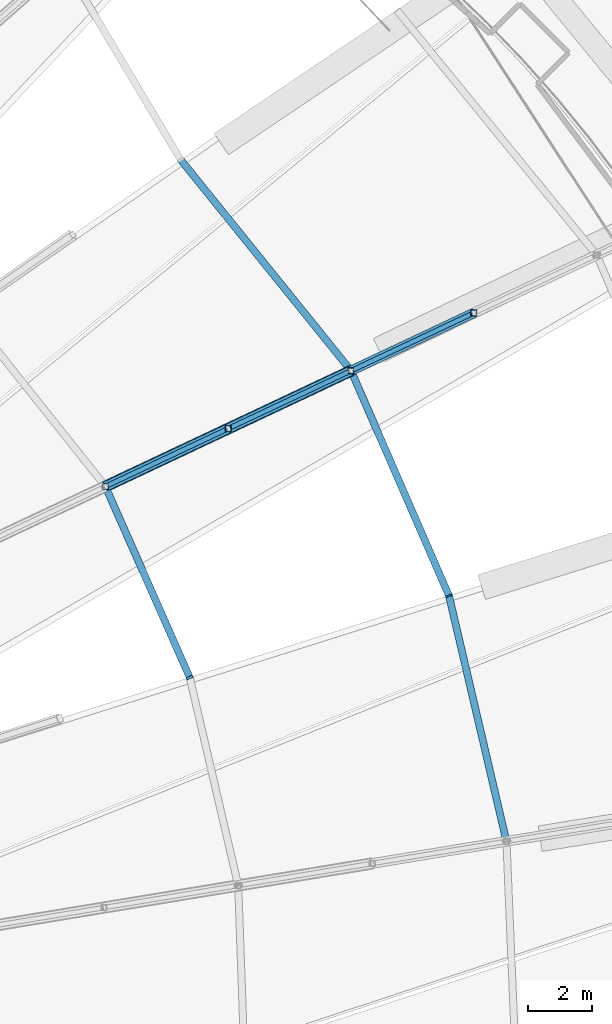
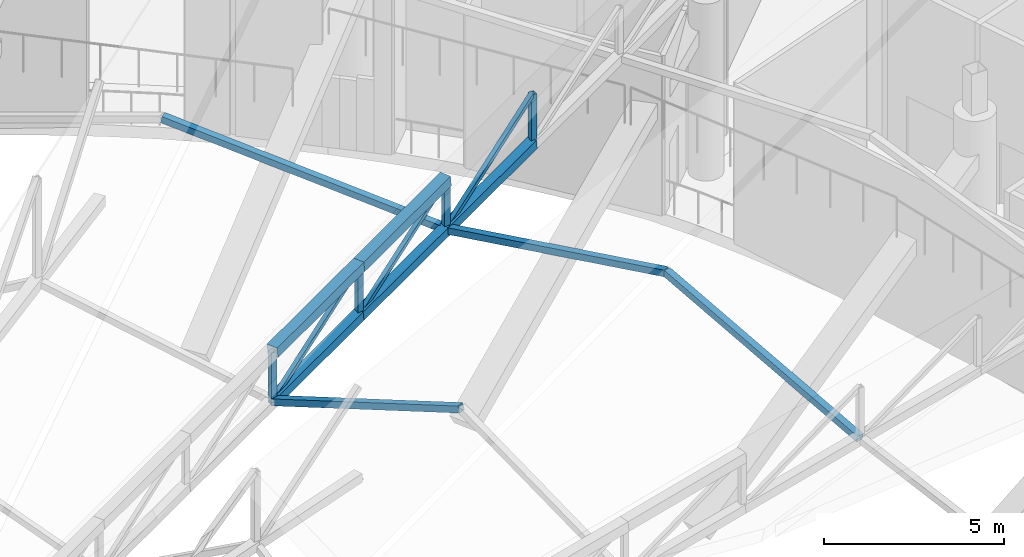
# One storey, part 192 of 344: 16 members.
"""IFC4 building model written with IfcOpenShell, lengths in metres."""

from ifc_helpers import new_model, si_unit, direction, frame, origin, origin_2d, place, context, subcontext, project, spatial, hollow_rectangle, extrude, material, material_profile, profile_set, type_object, element, save


model = new_model("IFC4")

# Units and contexts
model_context = context("Model", 3, precision=1e-05, world=origin(), true_north=direction((0.0, 1.0)))
body_context = subcontext(model_context, "Body", "Model", "MODEL_VIEW")
ifc_project = project(units=[si_unit("LENGTHUNIT", "METRE"), si_unit("AREAUNIT", "SQUARE_METRE"), si_unit("VOLUMEUNIT", "CUBIC_METRE"), si_unit("PLANEANGLEUNIT", "RADIAN"), si_unit("MASSUNIT", "GRAM", prefix="KILO")], contexts=[model_context])

# Site, building, storey
site_placement = place(None, origin())
site = spatial("IfcSite", under=ifc_project, at=site_placement, CompositionType="ELEMENT")
building_placement = place(site_placement, origin())
building = spatial("IfcBuilding", under=site, at=building_placement, Name="Meseta Stadium", CompositionType="ELEMENT")
storey_placement = place(building_placement, frame((0.0, 0.0, 24.0)))
storey = spatial("IfcBuildingStorey", under=building, at=storey_placement, Name="L04", CompositionType="ELEMENT", Elevation=24.0)

# Members
ifc_material_1 = material(Name="Steel S355", Category="steel")
ifc_material_profile_1 = material_profile(ifc_material_1, hollow_rectangle(XDim=0.139892578125, YDim=0.139892578125, WallThickness=0.0048828125, at=origin_2d()), Name="SHS 140x140x5")
ifc_profile_set_1 = profile_set([ifc_material_profile_1], Name="Steel S355")
member_type_1 = type_object("IfcMemberType", Name="SHS 140x140x5 diagonal", PredefinedType="BRACE", material=ifc_profile_set_1)
member_1_placement = place(storey_placement, frame((59.369140625, 62.769775390625, 4.35107421875), z_axis=(0.804671329976, 0.379086858084, 0.456943327715), x_axis=(-0.426181724525, 0.904637572556, 0.0)))
element("IfcMember", 1, at=member_1_placement, inside=storey, type_object=member_type_1, Name="ROOF TRUSS RT-11 diagonal", PredefinedType="BRACE", context=body_context, shape_type="SweptSolid", body=[
    extrude(hollow_rectangle(XDim=0.139892578125, YDim=0.139892578125, WallThickness=0.0048828125, at=origin_2d()), origin(), (0.0, 0.0, 1.0), 4.7412109375),
])
member_2_placement = place(storey_placement, frame((63.184326171875, 64.567138671875, 4.837890625), z_axis=(0.804705185814, 0.379027058663, 0.456933313214), x_axis=(-0.42611203162, 0.90467040214, 0.0)))
element("IfcMember", 2, at=member_2_placement, inside=storey, type_object=member_type_1, Name="ROOF TRUSS RT-11 diagonal", PredefinedType="BRACE", context=body_context, shape_type="SweptSolid", body=[
    extrude(hollow_rectangle(XDim=0.139892578125, YDim=0.139892578125, WallThickness=0.0048828125, at=origin_2d()), origin(), (0.0, 0.0, 1.0), 4.741455078125),
])
member_3_placement = place(storey_placement, frame((66.999755859375, 66.3642578125, 5.32470703125), z_axis=(0.804671329976, 0.379086858084, 0.456943327715), x_axis=(-0.426181724525, 0.904637572556, 0.0)))
element("IfcMember", 3, at=member_3_placement, inside=storey, type_object=member_type_1, Name="ROOF TRUSS RT-11 diagonal", PredefinedType="BRACE", context=body_context, shape_type="SweptSolid", body=[
    extrude(hollow_rectangle(XDim=0.139892578125, YDim=0.139892578125, WallThickness=0.0048828125, at=origin_2d()), origin(), (0.0, 0.0, 1.0), 4.7412109375),
])
ifc_material_2 = material(Name="Steel S355", Category="steel")
ifc_material_profile_2 = material_profile(ifc_material_2, hollow_rectangle(XDim=0.179931640625, YDim=0.179931640625, WallThickness=0.00634765625, at=origin_2d()), Name="SHS 180x180x6.3")
ifc_profile_set_2 = profile_set([ifc_material_profile_2], Name="Steel S355")
member_type_2 = type_object("IfcMemberType", Name="SHS 180x180x6.3 post", PredefinedType="POST", material=ifc_profile_set_2)
member_4_placement = place(storey_placement, frame((59.369140625, 62.769775390625, 4.35107421875), z_axis=(0.0, 0.0, 1.0), x_axis=(1.0, 0.0, 0.0)))
element("IfcMember", 4, at=member_4_placement, inside=storey, type_object=member_type_2, Name="ROOF TRUSS RT-11 post", PredefinedType="POST", context=body_context, shape_type="SweptSolid", body=[
    extrude(hollow_rectangle(XDim=0.179931640625, YDim=0.179931640625, WallThickness=0.00634765625, at=origin_2d()), origin(), (0.0, 0.0, 1.0), 1.679443359375),
])
for number, where, z_axis, x_axis, name in (
    (5, (63.184326171875, 64.567138671875, 4.837890625), (0.0, 0.0, 1.0), (1.0, 0.0, 0.0), "ROOF TRUSS RT-11 post"),
    (6, (66.999755859375, 66.3642578125, 5.32470703125), (0.0, 0.0, 1.0), (1.0, 0.0, 0.0), "ROOF TRUSS RT-11 post"),
    (7, (70.81494140625, 68.16162109375, 5.8115234375), (0.0, 0.0, 1.0), (1.0, 0.0, 0.0), "ROOF TRUSS RT-11 post"),
):
    element("IfcMember", number, at=place(storey_placement, frame(where, z_axis=z_axis, x_axis=x_axis)), inside=storey, type_object=member_type_2, Name=name, PredefinedType="POST", context=body_context, shape_type="SweptSolid", body=[
        extrude(hollow_rectangle(XDim=0.179931640625, YDim=0.179931640625, WallThickness=0.00634765625, at=origin_2d()), origin(), (0.0, 0.0, 1.0), 1.6796875),
    ])
ifc_material_3 = material(Name="Steel S355", Category="steel")
ifc_material_profile_3 = material_profile(ifc_material_3, hollow_rectangle(XDim=0.219970703125, YDim=0.219970703125, WallThickness=0.008056640625, at=origin_2d()), Name="SHS 220x220x8")
ifc_profile_set_3 = profile_set([ifc_material_profile_3], Name="Steel S355")
member_type_3 = type_object("IfcMemberType", Name="SHS 220x220x8 strut", PredefinedType="STRUT", material=ifc_profile_set_3)
member_5_placement = place(storey_placement, frame((71.82666015625, 51.74560546875, 5.41162109375), z_axis=(-0.22312298327, 0.953596025981, 0.202165164086), x_axis=(-0.973701559361, -0.227827288306, 0.0)))
element("IfcMember", 8, at=member_5_placement, inside=storey, type_object=member_type_3, Name="ROOF TRUSS STRUT RT-09/10", PredefinedType="STRUT", context=body_context, shape_type="SweptSolid", body=[
    extrude(hollow_rectangle(XDim=0.219970703125, YDim=0.219970703125, WallThickness=0.008056640625, at=origin_2d()), origin(), (0.0, 0.0, 1.0), 8.0029296875),
])
member_6_placement = place(storey_placement, frame((61.988525390625, 56.83447265625, 6.7841796875), z_axis=(-0.378040195827, 0.856606878624, -0.35115561484), x_axis=(-0.914868336457, -0.403752308907, 0.0)))
element("IfcMember", 9, at=member_6_placement, inside=storey, type_object=member_type_3, Name="ROOF TRUSS STRUT RT-10/11", PredefinedType="STRUT", context=body_context, shape_type="SweptSolid", body=[
    extrude(hollow_rectangle(XDim=0.219970703125, YDim=0.219970703125, WallThickness=0.008056640625, at=origin_2d()), origin(), (0.0, 0.0, 1.0), 6.928955078125),
])
member_7_placement = place(storey_placement, frame((70.041015625, 59.377197265625, 7.029541015625), z_axis=(-0.389474076181, 0.894786753329, -0.218326842255), x_axis=(-0.916906476433, -0.399102134139, 0.0)))
element("IfcMember", 10, at=member_7_placement, inside=storey, type_object=member_type_3, Name="ROOF TRUSS STRUT RT-10/11", PredefinedType="STRUT", context=body_context, shape_type="SweptSolid", body=[
    extrude(hollow_rectangle(XDim=0.219970703125, YDim=0.219970703125, WallThickness=0.008056640625, at=origin_2d()), origin(), (0.0, 0.0, 1.0), 7.80859375),
])
member_8_placement = place(storey_placement, frame((66.999755859375, 66.3642578125, 5.32470703125), z_axis=(-0.616745218706, 0.763658450209, 0.190921729062), x_axis=(-0.777968984671, -0.628302680951, 0.0)))
element("IfcMember", 11, at=member_8_placement, inside=storey, type_object=member_type_3, Name="ROOF TRUSS STRUT RT-11/12", PredefinedType="STRUT", context=body_context, shape_type="SweptSolid", body=[
    extrude(hollow_rectangle(XDim=0.219970703125, YDim=0.219970703125, WallThickness=0.008056640625, at=origin_2d()), origin(), (0.0, 0.0, 1.0), 8.57666015625),
])
ifc_material_4 = material(Name="Steel S355", Category="steel")
ifc_material_profile_4 = material_profile(ifc_material_4, hollow_rectangle(XDim=0.300048828125, YDim=0.300048828125, WallThickness=0.010009765625, at=origin_2d()), Name="SHS 300x300x10")
ifc_profile_set_4 = profile_set([ifc_material_profile_4], Name="Steel S355")
member_type_4 = type_object("IfcMemberType", Name="SHS 300x300x10 bottom chord", PredefinedType="CHORD", material=ifc_profile_set_4)
member_9_placement = place(storey_placement, frame((59.369140625, 62.769775390625, 4.35107421875), z_axis=(0.898670254409, 0.423370475009, 0.114670025423), x_axis=(-0.426181724525, 0.904637572556, 0.0)))
element("IfcMember", 12, at=member_9_placement, inside=storey, type_object=member_type_4, Name="ROOF TRUSS RT-11 bottom chord", PredefinedType="CHORD", context=body_context, shape_type="SweptSolid", body=[
    extrude(hollow_rectangle(XDim=0.300048828125, YDim=0.300048828125, WallThickness=0.010009765625, at=origin_2d()), origin(), (0.0, 0.0, 1.0), 4.245361328125),
])
member_10_placement = place(storey_placement, frame((63.184326171875, 64.567138671875, 4.837890625), z_axis=(0.898703194767, 0.423301396, 0.11466689086), x_axis=(-0.42611203162, 0.90467040214, 0.0)))
element("IfcMember", 13, at=member_10_placement, inside=storey, type_object=member_type_4, Name="ROOF TRUSS RT-11 bottom chord", PredefinedType="CHORD", context=body_context, shape_type="SweptSolid", body=[
    extrude(hollow_rectangle(XDim=0.300048828125, YDim=0.300048828125, WallThickness=0.010009765625, at=origin_2d()), origin(), (0.0, 0.0, 1.0), 4.24560546875),
])
member_11_placement = place(storey_placement, frame((66.999755859375, 66.3642578125, 5.32470703125), z_axis=(0.898670254409, 0.423370475009, 0.114670025423), x_axis=(-0.426181724525, 0.904637572556, 0.0)))
element("IfcMember", 14, at=member_11_placement, inside=storey, type_object=member_type_4, Name="ROOF TRUSS RT-11 bottom chord", PredefinedType="CHORD", context=body_context, shape_type="SweptSolid", body=[
    extrude(hollow_rectangle(XDim=0.300048828125, YDim=0.300048828125, WallThickness=0.010009765625, at=origin_2d()), origin(), (0.0, 0.0, 1.0), 4.245361328125),
])
ifc_material_5 = material(Name="Steel S355", Category="steel")
ifc_material_profile_5 = material_profile(ifc_material_5, hollow_rectangle(XDim=0.35009765625, YDim=0.35009765625, WallThickness=0.010009765625, at=origin_2d()), Name="SHS 350x350x10")
ifc_profile_set_5 = profile_set([ifc_material_profile_5], Name="Steel S355")
member_type_5 = type_object("IfcMemberType", Name="SHS 350x350x10 top chord", PredefinedType="CHORD", material=ifc_profile_set_5)
member_12_placement = place(storey_placement, frame((59.369140625, 62.769775390625, 6.030517578125), z_axis=(0.898664326799, 0.423367682466, 0.114726776218), x_axis=(-0.426181724525, 0.904637572556, 0.0)))
element("IfcMember", 15, at=member_12_placement, inside=storey, type_object=member_type_5, Name="ROOF TRUSS RT-11 top chord", PredefinedType="CHORD", context=body_context, shape_type="SweptSolid", body=[
    extrude(hollow_rectangle(XDim=0.35009765625, YDim=0.35009765625, WallThickness=0.010009765625, at=origin_2d()), origin(), (0.0, 0.0, 1.0), 4.245361328125),
])
member_13_placement = place(storey_placement, frame((63.184326171875, 64.567138671875, 6.517578125), z_axis=(0.898703194767, 0.423301396, 0.11466689086), x_axis=(-0.42611203162, 0.90467040214, 0.0)))
element("IfcMember", 16, at=member_13_placement, inside=storey, type_object=member_type_5, Name="ROOF TRUSS RT-11 top chord", PredefinedType="CHORD", context=body_context, shape_type="SweptSolid", body=[
    extrude(hollow_rectangle(XDim=0.35009765625, YDim=0.35009765625, WallThickness=0.010009765625, at=origin_2d()), origin(), (0.0, 0.0, 1.0), 4.24560546875),
])

save(model, "model.ifc")
